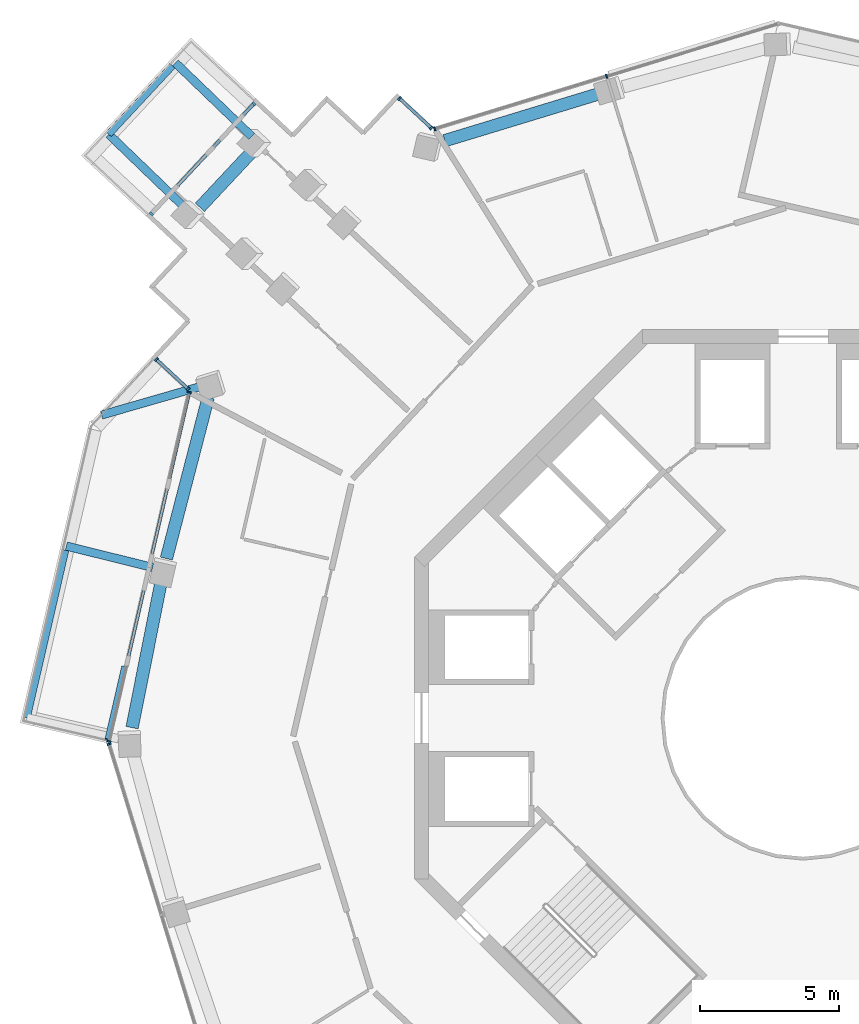
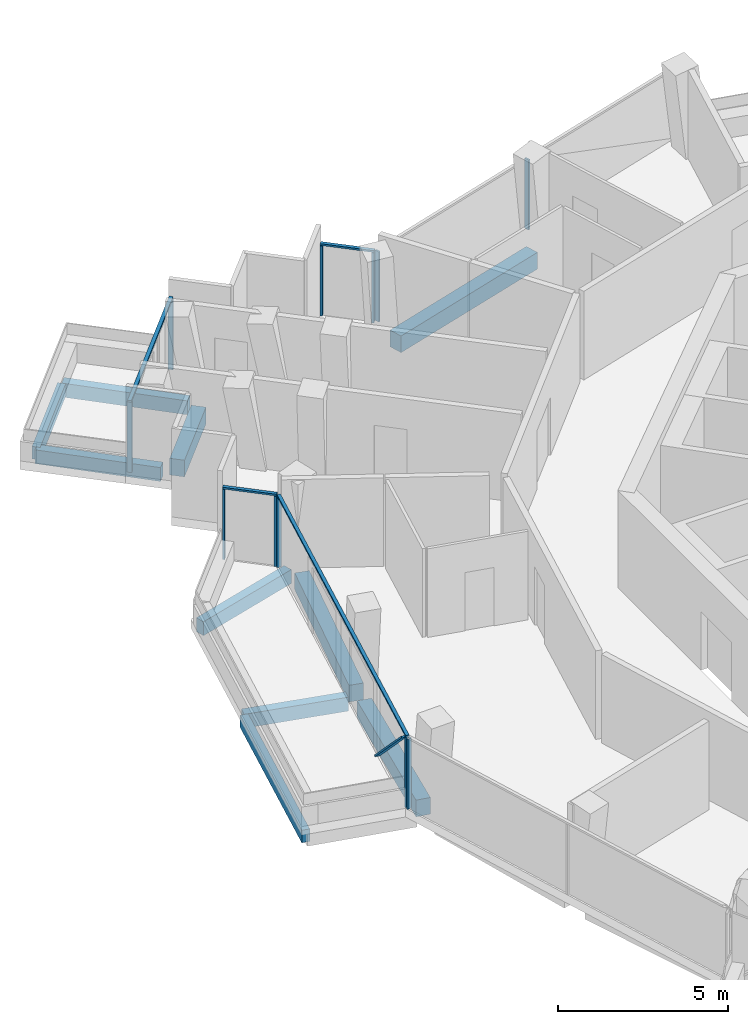
# One storey, part 6 of 21: 16 members, 10 beams, 6 elements without a shape of their own.
"""IFC4 building model written with IfcOpenShell, lengths in metres."""

from ifc_helpers import new_model, si_unit, direction, frame, origin, origin_2d, place, context, subcontext, project, spatial, rectangle, extrude, material, layer, layer_set, material_profile, profile_set, type_object, element, aggregate, save


model = new_model("IFC4")

# Units and contexts
model_context = context("Model", 3, precision=1e-05, world=origin(), true_north=direction((0.0, 1.0)))
body_context = subcontext(model_context, "Body", "Model", "MODEL_VIEW")
ifc_project = project(units=[si_unit("LENGTHUNIT", "METRE"), si_unit("AREAUNIT", "SQUARE_METRE"), si_unit("VOLUMEUNIT", "CUBIC_METRE"), si_unit("PLANEANGLEUNIT", "RADIAN"), si_unit("MASSUNIT", "GRAM", prefix="KILO")], contexts=[model_context])

# Site, building, storey
site_placement = place(None, origin())
site = spatial("IfcSite", under=ifc_project, at=site_placement, CompositionType="ELEMENT")
building_placement = place(site_placement, origin())
building = spatial("IfcBuilding", under=site, at=building_placement, Name="Verdalira Terraces Hotel", CompositionType="ELEMENT")
storey_placement = place(building_placement, frame((0.0, 0.0, 227.0)))
storey = spatial("IfcBuildingStorey", under=building, at=storey_placement, Name="L55", CompositionType="ELEMENT", Elevation=227.0)

# Beams
ifc_material_1 = material(Name="Concrete C40", Category="concrete")
ifc_material_profile_1 = material_profile(ifc_material_1, rectangle(XDim=0.300049, YDim=0.5, at=origin_2d()), Name="RC 300X500")
ifc_profile_set_1 = profile_set([ifc_material_profile_1], Name="Concrete C40")
beam_type_1 = type_object("IfcBeamType", Name="Balcony cantilever beam RC 300X500 C40", PredefinedType="BEAM", material=ifc_profile_set_1)
beam_1_placement = place(storey_placement, frame((-19.86792, 20.953857, -0.560059), z_axis=(-0.720297757, 0.693665006, 0.0), x_axis=(-0.693665006, -0.720297757, 0.0)))
element("IfcBeam", 1, at=beam_1_placement, inside=storey, type_object=beam_type_1, Name="Balcony cantilever beam R05-1", PredefinedType="BEAM", context=body_context, shape_type="SweptSolid", body=[
    extrude(rectangle(XDim=0.300049, YDim=0.5, at=origin_2d()), origin(), (0.0, 0.0, 1.0), 3.82251),
])
beam_2_placement = place(storey_placement, frame((-22.269287, 18.380371, -0.560059), z_axis=(-0.720341507, 0.693619574, 0.0), x_axis=(-0.693619574, -0.720341507, 0.0)))
element("IfcBeam", 2, at=beam_2_placement, inside=storey, type_object=beam_type_1, Name="Balcony cantilever beam R05-2", PredefinedType="BEAM", context=body_context, shape_type="SweptSolid", body=[
    extrude(rectangle(XDim=0.300049, YDim=0.5, at=origin_2d()), origin(), (0.0, 0.0, 1.0), 3.819092),
])
beam_3_placement = place(storey_placement, frame((-23.438232, 5.426025, -0.560059), z_axis=(-0.9706296, 0.240578842, 0.0), x_axis=(-0.240578842, -0.9706296, 0.0)))
element("IfcBeam", 3, at=beam_3_placement, inside=storey, type_object=beam_type_1, Name="Balcony cantilever beam R10-1", PredefinedType="BEAM", context=body_context, shape_type="SweptSolid", body=[
    extrude(rectangle(XDim=0.300049, YDim=0.5, at=origin_2d()), origin(), (0.0, 0.0, 1.0), 3.200684),
])
beam_4_placement = place(storey_placement, frame((-21.693115, 11.949951, -0.560059), z_axis=(-0.960876853, -0.276975943, 0.0), x_axis=(0.276975943, -0.960876853, 0.0)))
element("IfcBeam", 4, at=beam_4_placement, inside=storey, type_object=beam_type_1, Name="Balcony cantilever beam R10-3", PredefinedType="BEAM", context=body_context, shape_type="SweptSolid", body=[
    extrude(rectangle(XDim=0.300049, YDim=0.5, at=origin_2d()), origin(), (0.0, 0.0, 1.0), 3.731201),
])
ifc_material_2 = material(Name="Concrete C40", Category="concrete")
ifc_material_profile_2 = material_profile(ifc_material_2, rectangle(XDim=0.25, YDim=0.449951, at=origin_2d()), Name="RC 250X450")
ifc_profile_set_2 = profile_set([ifc_material_profile_2], Name="Concrete C40")
beam_type_2 = type_object("IfcBeamType", Name="Balcony edge beam RC 250X450 C40", PredefinedType="BEAM", material=ifc_profile_set_2)
beam_5_placement = place(storey_placement, frame((-22.723633, 23.495605, -0.534912), z_axis=(-0.681484094, -0.731832924, 0.0), x_axis=(0.731832924, -0.681484094, 0.0)))
element("IfcBeam", 5, at=beam_5_placement, inside=storey, type_object=beam_type_2, Name="Balcony edge beam R05-1", PredefinedType="BEAM", context=body_context, shape_type="SweptSolid", body=[
    extrude(rectangle(XDim=0.25, YDim=0.449951, at=origin_2d()), origin(), (0.0, 0.0, 1.0), 3.370117),
])
beam_6_placement = place(storey_placement, frame((-26.578613, 6.049805, -0.534912), z_axis=(-0.224275301, -0.974525828, 0.0), x_axis=(0.974525828, -0.224275301, 0.0)))
element("IfcBeam", 6, at=beam_6_placement, inside=storey, type_object=beam_type_2, Name="Balcony edge beam R10-1", PredefinedType="BEAM", context=body_context, shape_type="SweptSolid", body=[
    extrude(rectangle(XDim=0.25, YDim=0.449951, at=origin_2d()), origin(), (0.0, 0.0, 1.0), 6.196289),
])

# Curtain wall, members
ifc_material_3 = material(Name="Clear glass", Category="glass")
ifc_layer_1 = layer(ifc_material_3, 0.14990234375)
ifc_layer_set_1 = layer_set([ifc_layer_1], Name="CW1 curtain wall")
curtain_wall_type_1 = type_object("IfcCurtainWallType", Name="CW1 curtain wall", PredefinedType="NOTDEFINED", material=ifc_layer_set_1)
curtain_wall_1_placement = place(storey_placement, origin())
curtain_wall_1 = element("IfcCurtainWall", 7, at=curtain_wall_1_placement, inside=storey, type_object=curtain_wall_type_1, Name="CW1 curtain wall L55 edge 11", PredefinedType="NOTDEFINED")
ifc_material_4 = material(Name="Terracotta frame", Category="masonry")
ifc_material_profile_3 = material_profile(ifc_material_4, rectangle(XDim=0.060059, YDim=0.149902, at=origin_2d()), Name="MU 60x150")
ifc_profile_set_3 = profile_set([ifc_material_profile_3], Name="Terracotta frame")
member_type_1 = type_object("IfcMemberType", Name="CW1 mullion 60x150", PredefinedType="MULLION", material=ifc_profile_set_3)
member_1_placement = place(storey_placement, frame((-22.116211, 11.72876, 0.0), z_axis=(0.0, 0.0, 1.0), x_axis=(-0.224270761, -0.974526873, 0.0)))
member_1 = element("IfcMember", 8, at=member_1_placement, type_object=member_type_1, Name="CW1 mullion", PredefinedType="MULLION", context=body_context, shape_type="SweptSolid", body=[
    extrude(rectangle(XDim=0.060059, YDim=0.149902, at=origin_2d()), origin(), (0.0, 0.0, 1.0), 2.524902),
])
member_2_placement = place(storey_placement, frame((-25.009277, -0.842285, 0.0), z_axis=(0.0, 0.0, 1.0), x_axis=(-0.224270761, -0.974526873, 0.0)))
member_2 = element("IfcMember", 9, at=member_2_placement, type_object=member_type_1, Name="CW1 mullion", PredefinedType="MULLION", context=body_context, shape_type="SweptSolid", body=[
    extrude(rectangle(XDim=0.060059, YDim=0.149902, at=origin_2d()), origin(), (0.0, 0.0, 1.0), 2.524902),
])

# Curtain wall, member
curtain_wall_2_placement = place(storey_placement, origin())
curtain_wall_2 = element("IfcCurtainWall", 10, at=curtain_wall_2_placement, inside=storey, type_object=curtain_wall_type_1, Name="CW1 curtain wall L55 edge 12", PredefinedType="NOTDEFINED")
member_3_placement = place(storey_placement, frame((-25.005859, -0.939209, 0.0), z_axis=(0.0, 0.0, 1.0), x_axis=(0.29303926, -0.956100409, 0.0)))
member_3 = element("IfcMember", 11, at=member_3_placement, type_object=member_type_1, Name="CW1 mullion", PredefinedType="MULLION", context=body_context, shape_type="SweptSolid", body=[
    extrude(rectangle(XDim=0.060059, YDim=0.149902, at=origin_2d()), origin(), (0.0, 0.0, 1.0), 2.524902),
])
aggregate(curtain_wall_2, [member_3])

# Curtain wall, members
curtain_wall_3_placement = place(storey_placement, origin())
curtain_wall_3 = element("IfcCurtainWall", 12, at=curtain_wall_3_placement, inside=storey, type_object=curtain_wall_type_1, Name="CW1 curtain wall L55 edge 41", PredefinedType="NOTDEFINED")
member_4_placement = place(storey_placement, frame((-7.08667, 23.121582, 0.0), z_axis=(0.0, 0.0, 1.0), x_axis=(-0.956100409, -0.29303926, 0.0)))
member_4 = element("IfcMember", 13, at=member_4_placement, type_object=member_type_1, Name="CW1 mullion", PredefinedType="MULLION", context=body_context, shape_type="SweptSolid", body=[
    extrude(rectangle(XDim=0.060059, YDim=0.149902, at=origin_2d()), origin(), (0.0, 0.0, 1.0), 2.524902),
])
member_5_placement = place(storey_placement, frame((-13.272705, 21.22583, 0.0), z_axis=(0.0, 0.0, 1.0), x_axis=(-0.956100409, -0.29303926, 0.0)))
member_5 = element("IfcMember", 14, at=member_5_placement, type_object=member_type_1, Name="CW1 mullion", PredefinedType="MULLION", context=body_context, shape_type="SweptSolid", body=[
    extrude(rectangle(XDim=0.060059, YDim=0.149902, at=origin_2d()), origin(), (0.0, 0.0, 1.0), 2.524902),
])
aggregate(curtain_wall_3, [member_4, member_5])

# Member
ifc_material_5 = material(Name="Terracotta frame", Category="masonry")
ifc_material_profile_4 = material_profile(ifc_material_5, rectangle(XDim=0.110107, YDim=0.064941, at=origin_2d()), Name="TR 65x110")
ifc_profile_set_4 = profile_set([ifc_material_profile_4], Name="Terracotta frame")
member_type_2 = type_object("IfcMemberType", Name="CW1 transom 65x110", PredefinedType="USERDEFINED", material=ifc_profile_set_4)
member_6_placement = place(storey_placement, frame((-22.109619, 11.758057, 2.557617), z_axis=(-0.224270608, -0.974526908, 0.0), x_axis=(0.974526908, -0.224270608, 0.0)))
member_6 = element("IfcMember", 15, at=member_6_placement, type_object=member_type_2, Name="CW1 transom", ObjectType="TRANSOM", PredefinedType="USERDEFINED", context=body_context, shape_type="SweptSolid", body=[
    extrude(rectangle(XDim=0.110107, YDim=0.064941, at=origin_2d()), origin(), (0.0, 0.0, 1.0), 12.959717),
])

# Curtain wall, members
ifc_material_6 = material(Name="Clear glass", Category="glass")
ifc_layer_2 = layer(ifc_material_6, 0.14990234375)
ifc_layer_set_2 = layer_set([ifc_layer_2], Name="CW2 curtain wall")
curtain_wall_type_2 = type_object("IfcCurtainWallType", Name="CW2 curtain wall", PredefinedType="NOTDEFINED", material=ifc_layer_set_2)
curtain_wall_4_placement = place(storey_placement, origin())
curtain_wall_4 = element("IfcCurtainWall", 16, at=curtain_wall_4_placement, inside=storey, type_object=curtain_wall_type_2, Name="CW2 curtain wall L55 edge 0", PredefinedType="NOTDEFINED")
ifc_material_7 = material(Name="Terracotta frame", Category="masonry")
ifc_material_profile_5 = material_profile(ifc_material_7, rectangle(XDim=0.070068, YDim=0.149902, at=origin_2d()), Name="MU 70x150")
ifc_profile_set_5 = profile_set([ifc_material_profile_5], Name="Terracotta frame")
member_type_3 = type_object("IfcMemberType", Name="CW2 mullion 70x150", PredefinedType="MULLION", material=ifc_profile_set_5)
member_7_placement = place(storey_placement, frame((-13.399902, 21.257568, 0.0), z_axis=(0.0, 0.0, 1.0), x_axis=(-0.731829648, 0.681487613, 0.0)))
member_7 = element("IfcMember", 17, at=member_7_placement, type_object=member_type_3, Name="CW2 mullion", PredefinedType="MULLION", context=body_context, shape_type="SweptSolid", body=[
    extrude(rectangle(XDim=0.070068, YDim=0.149902, at=origin_2d()), origin(), (0.0, 0.0, 1.0), 2.524902),
])
member_8_placement = place(storey_placement, frame((-14.544189, 22.323242, 0.0), z_axis=(0.0, 0.0, 1.0), x_axis=(-0.731829648, 0.681487613, 0.0)))
member_8 = element("IfcMember", 18, at=member_8_placement, type_object=member_type_3, Name="CW2 mullion", PredefinedType="MULLION", context=body_context, shape_type="SweptSolid", body=[
    extrude(rectangle(XDim=0.070068, YDim=0.149902, at=origin_2d()), origin(), (0.0, 0.0, 1.0), 2.524902),
])

curtain_wall_5_placement = place(storey_placement, origin())
curtain_wall_5 = element("IfcCurtainWall", 19, at=curtain_wall_5_placement, inside=storey, type_object=curtain_wall_type_2, Name="CW2 curtain wall L55 edge 10", PredefinedType="NOTDEFINED")
member_9_placement = place(storey_placement, frame((-23.30127, 12.919189, 0.0), z_axis=(0.0, 0.0, 1.0), x_axis=(0.731829648, -0.681487613, 0.0)))
member_9 = element("IfcMember", 20, at=member_9_placement, type_object=member_type_3, Name="CW2 mullion", PredefinedType="MULLION", context=body_context, shape_type="SweptSolid", body=[
    extrude(rectangle(XDim=0.070068, YDim=0.149902, at=origin_2d()), origin(), (0.0, 0.0, 1.0), 2.524902),
])
member_10_placement = place(storey_placement, frame((-22.157227, 11.853516, 0.0), z_axis=(0.0, 0.0, 1.0), x_axis=(0.731829648, -0.681487613, 0.0)))
member_10 = element("IfcMember", 21, at=member_10_placement, type_object=member_type_3, Name="CW2 mullion", PredefinedType="MULLION", context=body_context, shape_type="SweptSolid", body=[
    extrude(rectangle(XDim=0.070068, YDim=0.149902, at=origin_2d()), origin(), (0.0, 0.0, 1.0), 2.524902),
])

# Member
ifc_material_8 = material(Name="Terracotta frame", Category="masonry")
ifc_material_profile_6 = material_profile(ifc_material_8, rectangle(XDim=0.11499, YDim=0.064941, at=origin_2d()), Name="TR 65x115")
ifc_profile_set_6 = profile_set([ifc_material_profile_6], Name="Terracotta frame")
member_type_4 = type_object("IfcMemberType", Name="CW2 transom 65x115", PredefinedType="USERDEFINED", material=ifc_profile_set_6)
member_11_placement = place(storey_placement, frame((-13.374512, 21.233643, 2.557617), z_axis=(-0.731770584, 0.681551034, 0.0), x_axis=(-0.681551034, -0.731770584, 0.0)))
member_11 = element("IfcMember", 22, at=member_11_placement, type_object=member_type_4, Name="CW2 transom", ObjectType="TRANSOM", PredefinedType="USERDEFINED", context=body_context, shape_type="SweptSolid", body=[
    extrude(rectangle(XDim=0.11499, YDim=0.064941, at=origin_2d()), origin(), (0.0, 0.0, 1.0), 1.633545),
])

aggregate(curtain_wall_4, [member_7, member_8, member_11])

member_12_placement = place(storey_placement, frame((-23.326904, 12.942871, 2.557617), z_axis=(0.73184513, -0.681470986, 0.0), x_axis=(0.681470986, 0.73184513, 0.0)))
member_12 = element("IfcMember", 23, at=member_12_placement, type_object=member_type_4, Name="CW2 transom", ObjectType="TRANSOM", PredefinedType="USERDEFINED", context=body_context, shape_type="SweptSolid", body=[
    extrude(rectangle(XDim=0.11499, YDim=0.064941, at=origin_2d()), origin(), (0.0, 0.0, 1.0), 1.633301),
])

aggregate(curtain_wall_5, [member_9, member_10, member_12])

# Curtain wall, members
ifc_material_9 = material(Name="Clear glass", Category="glass")
ifc_layer_3 = layer(ifc_material_9, 0.14990234375)
ifc_layer_set_3 = layer_set([ifc_layer_3], Name="CW3 curtain wall")
curtain_wall_type_3 = type_object("IfcCurtainWallType", Name="CW3 curtain wall", PredefinedType="NOTDEFINED", material=ifc_layer_set_3)
curtain_wall_6_placement = place(storey_placement, origin())
curtain_wall_6 = element("IfcCurtainWall", 24, at=curtain_wall_6_placement, inside=storey, type_object=curtain_wall_type_3, Name="CW3 curtain wall L55 edge 5", PredefinedType="NOTDEFINED")
ifc_material_10 = material(Name="Terracotta frame", Category="masonry")
ifc_material_profile_7 = material_profile(ifc_material_10, rectangle(XDim=0.080078, YDim=0.149902, at=origin_2d()), Name="MU 80x150")
ifc_profile_set_7 = profile_set([ifc_material_profile_7], Name="Terracotta frame")
member_type_5 = type_object("IfcMemberType", Name="CW3 mullion 80x150", PredefinedType="MULLION", material=ifc_profile_set_7)
member_13_placement = place(storey_placement, frame((-19.791016, 22.132812, 0.0), z_axis=(0.0, 0.0, 1.0), x_axis=(-0.681487613, -0.731829648, 0.0)))
member_13 = element("IfcMember", 25, at=member_13_placement, type_object=member_type_5, Name="CW3 mullion", PredefinedType="MULLION", context=body_context, shape_type="SweptSolid", body=[
    extrude(rectangle(XDim=0.080078, YDim=0.149902, at=origin_2d()), origin(), (0.0, 0.0, 1.0), 2.524902),
])
member_14_placement = place(storey_placement, frame((-23.484619, 18.16626, 0.0), z_axis=(0.0, 0.0, 1.0), x_axis=(-0.681487613, -0.731829648, 0.0)))
member_14 = element("IfcMember", 26, at=member_14_placement, type_object=member_type_5, Name="CW3 mullion", PredefinedType="MULLION", context=body_context, shape_type="SweptSolid", body=[
    extrude(rectangle(XDim=0.080078, YDim=0.149902, at=origin_2d()), origin(), (0.0, 0.0, 1.0), 2.524902),
])
ifc_material_11 = material(Name="Terracotta frame", Category="masonry")
ifc_material_profile_8 = material_profile(ifc_material_11, rectangle(XDim=0.120117, YDim=0.064941, at=origin_2d()), Name="TR 65x120")
ifc_profile_set_8 = profile_set([ifc_material_profile_8], Name="Terracotta frame")
member_type_6 = type_object("IfcMemberType", Name="CW3 transom 65x120", PredefinedType="USERDEFINED", material=ifc_profile_set_8)
member_15_placement = place(storey_placement, frame((-19.763916, 22.161865, 2.557617), z_axis=(-0.681489041, -0.731828318, 0.0), x_axis=(0.731828318, -0.681489041, 0.0)))
member_15 = element("IfcMember", 27, at=member_15_placement, type_object=member_type_6, Name="CW3 transom", ObjectType="TRANSOM", PredefinedType="USERDEFINED", context=body_context, shape_type="SweptSolid", body=[
    extrude(rectangle(XDim=0.120117, YDim=0.064941, at=origin_2d()), origin(), (0.0, 0.0, 1.0), 5.499756),
])
aggregate(curtain_wall_6, [member_13, member_14, member_15])

# Member
ifc_material_12 = material(Name="Terracotta frame", Category="masonry")
ifc_material_profile_9 = material_profile(ifc_material_12, rectangle(XDim=0.149902, YDim=0.060059, at=origin_2d()), Name="GB 60x150")
ifc_profile_set_9 = profile_set([ifc_material_profile_9], Name="Terracotta frame")
member_type_7 = type_object("IfcMemberType", Name="Diagonal glazing bar 60x150", PredefinedType="USERDEFINED", material=ifc_profile_set_9)
member_16_placement = place(storey_placement, frame((-24.480957, 1.85083, 0.023438), z_axis=(-0.164874946, -0.716461442, 0.677863743), x_axis=(0.974528791, -0.224262427, 0.0)))
member_16 = element("IfcMember", 28, at=member_16_placement, type_object=member_type_7, Name="Diagonal glazing bar", ObjectType="GLAZING BAR", PredefinedType="USERDEFINED", context=body_context, shape_type="SweptSolid", body=[
    extrude(rectangle(XDim=0.149902, YDim=0.060059, at=origin_2d()), origin(), (0.0, 0.0, 1.0), 3.656006),
])

aggregate(curtain_wall_1, [member_1, member_2, member_6, member_16])

# Beams
ifc_material_13 = material(Name="Concrete C40", Category="concrete")
ifc_material_profile_10 = material_profile(ifc_material_13, rectangle(XDim=0.449951, YDim=0.600098, at=origin_2d()), Name="RC 450X600")
ifc_profile_set_10 = profile_set([ifc_material_profile_10], Name="Concrete C40")
beam_type_3 = type_object("IfcBeamType", Name="Spandrel beam RC 450X600 C40", PredefinedType="SPANDREL", material=ifc_profile_set_10)
beam_7_placement = place(storey_placement, frame((-19.816406, 20.451172, -0.610107), z_axis=(-0.68294335, -0.730471341, 0.0), x_axis=(0.730471341, -0.68294335, 0.0)))
element("IfcBeam", 29, at=beam_7_placement, inside=storey, type_object=beam_type_3, Name="Spandrel beam B01", PredefinedType="SPANDREL", context=body_context, shape_type="SweptSolid", body=[
    extrude(rectangle(XDim=0.449951, YDim=0.600098, at=origin_2d()), origin(), (0.0, 0.0, 1.0), 2.809814),
])
beam_8_placement = place(storey_placement, frame((-21.434326, 11.551758, -0.610107), z_axis=(-0.251419651, -0.967878174, 0.0), x_axis=(0.967878174, -0.251419651, 0.0)))
element("IfcBeam", 30, at=beam_8_placement, inside=storey, type_object=beam_type_3, Name="Spandrel beam B02", PredefinedType="SPANDREL", context=body_context, shape_type="SweptSolid", body=[
    extrude(rectangle(XDim=0.449951, YDim=0.600098, at=origin_2d()), origin(), (0.0, 0.0, 1.0), 6.0),
])
beam_9_placement = place(storey_placement, frame((-23.126221, 4.942871, -0.610107), z_axis=(-0.195149968, -0.980773414, 0.0), x_axis=(0.980773414, -0.195149968, 0.0)))
element("IfcBeam", 31, at=beam_9_placement, inside=storey, type_object=beam_type_3, Name="Spandrel beam B03", PredefinedType="SPANDREL", context=body_context, shape_type="SweptSolid", body=[
    extrude(rectangle(XDim=0.449951, YDim=0.600098, at=origin_2d()), origin(), (0.0, 0.0, 1.0), 5.394531),
])
beam_10_placement = place(storey_placement, frame((-7.274658, 22.515381, -0.610107), z_axis=(-0.956697964, -0.291082472, 0.0), x_axis=(0.291082472, -0.956697964, 0.0)))
element("IfcBeam", 32, at=beam_10_placement, inside=storey, type_object=beam_type_3, Name="Spandrel beam B23", PredefinedType="SPANDREL", context=body_context, shape_type="SweptSolid", body=[
    extrude(rectangle(XDim=0.449951, YDim=0.600098, at=origin_2d()), origin(), (0.0, 0.0, 1.0), 5.89209),
])

save(model, "model.ifc")
